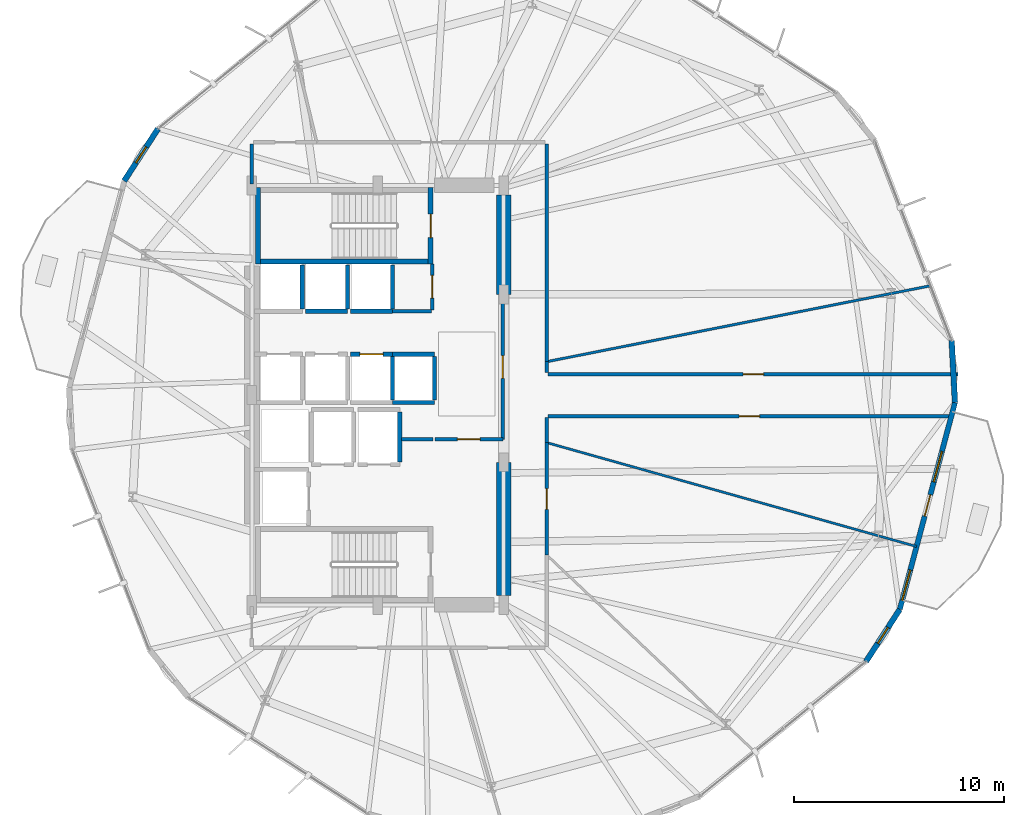
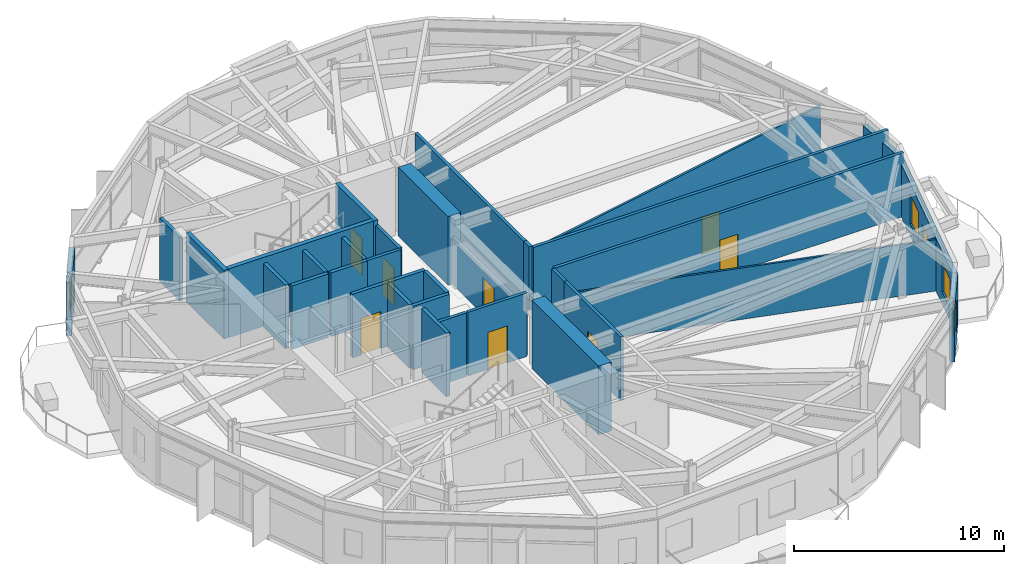
# One storey, part 19 of 23: 34 walls, 9 doors, 4 windows, 13 openings.
"""IFC4 building model written with IfcOpenShell, lengths in metres."""

from ifc_helpers import new_model, si_unit, direction, frame, frame_2d, origin, place, context, subcontext, project, spatial, rectangle, extrude, material, layer, layer_set, type_object, element, fill, save


model = new_model("IFC4")

# Units and contexts
model_context = context("Model", 3, precision=1e-05, world=origin(), true_north=direction((0.0, 1.0)))
body_context = subcontext(model_context, "Body", "Model", "MODEL_VIEW")
ifc_project = project(units=[si_unit("LENGTHUNIT", "METRE"), si_unit("AREAUNIT", "SQUARE_METRE"), si_unit("VOLUMEUNIT", "CUBIC_METRE"), si_unit("PLANEANGLEUNIT", "RADIAN"), si_unit("MASSUNIT", "GRAM", prefix="KILO")], contexts=[model_context])

# Site, building, storey
site_placement = place(None, origin())
site = spatial("IfcSite", under=ifc_project, at=site_placement, CompositionType="ELEMENT")
building_placement = place(site_placement, origin())
building = spatial("IfcBuilding", under=site, at=building_placement, Name="Soratama Intermodal Tower", CompositionType="ELEMENT")
storey_placement = place(building_placement, frame((0.0, 0.0, 38.60009765625)))
storey = spatial("IfcBuildingStorey", under=building, at=storey_placement, Name="L08", CompositionType="ELEMENT", Elevation=38.60009765625)

# Wall, openings, door, windows
ifc_material_1 = material(Name="Concrete f'c 42 MPa", Category="concrete")
ifc_layer_1 = layer(ifc_material_1, 0.25)
ifc_layer_set_1 = layer_set([ifc_layer_1], Name="Concrete f'c 42 MPa")
wall_type_1 = type_object("IfcWallType", Name="EW-BAL-250", PredefinedType="SOLIDWALL", material=ifc_layer_set_1)
wall_1_placement = place(storey_placement, frame((63.489990234375, 14.787353515625, 0.0), z_axis=(0.0, 0.0, 1.0), x_axis=(0.257827991611, 0.966190833501, 0.0)))
wall_1 = element("IfcWall", 1, at=wall_1_placement, inside=storey, type_object=wall_type_1, Name="L08 Terrace Wall F10", PredefinedType="SOLIDWALL", context=body_context, shape_type="SweptSolid", body=[
    extrude(rectangle(XDim=10.201171875, YDim=0.25, at=frame_2d((5.1005859375, 0.0))), origin(), (0.0, 0.0, 1.0), 3.078857421875),
])
opening_1_placement = place(wall_1_placement, frame((4.6005859375, 0.0, 0.0)))
opening_1 = element("IfcOpeningElement", 2, at=opening_1_placement, cuts=wall_1, Name="Opening ED-5", PredefinedType="OPENING", context=body_context, shape_type="SweptSolid", body=[
    extrude(rectangle(XDim=1.050048828125, YDim=2.14990234375, at=frame_2d((0.52490234375, 1.074951171875))), frame((0.0, 0.135009765625, 0.0), z_axis=(0.0, -1.0, 0.0), x_axis=(1.0, 0.0, 0.0)), (0.0, 0.0, 1.0), 0.27001953125),
])
opening_2_placement = place(wall_1_placement, frame((0.43994140625, 0.0, 0.719970703125)))
opening_2 = element("IfcOpeningElement", 3, at=opening_2_placement, cuts=wall_1, Name="Opening WN-1", PredefinedType="OPENING", context=body_context, shape_type="SweptSolid", body=[
    extrude(rectangle(XDim=1.5, YDim=1.699951171875, at=frame_2d((0.75, 0.85009765625))), frame((0.0, 0.135009765625, 0.0), z_axis=(0.0, -1.0, 0.0), x_axis=(1.0, 0.0, 0.0)), (0.0, 0.0, 1.0), 0.27001953125),
])
opening_3_placement = place(wall_1_placement, frame((6.29052734375, 0.0, 0.719970703125)))
opening_3 = element("IfcOpeningElement", 4, at=opening_3_placement, cuts=wall_1, Name="Opening WN-1", PredefinedType="OPENING", context=body_context, shape_type="SweptSolid", body=[
    extrude(rectangle(XDim=1.5, YDim=1.699951171875, at=frame_2d((0.75, 0.85009765625))), frame((0.0, 0.135009765625, 0.0), z_axis=(0.0, -1.0, 0.0), x_axis=(1.0, 0.0, 0.0)), (0.0, 0.0, 1.0), 0.27001953125),
])
ifc_material_2 = material(Name="Double-glazed aluminium door", Category="aluminium")
door_type_1 = type_object("IfcDoorType", Name="DR-BAL-1050", OperationType="NOTDEFINED", PredefinedType="DOOR", material=ifc_material_2)
door_1_placement = place(opening_1_placement, origin())
door_1 = element("IfcDoor", 5, at=door_1_placement, inside=storey, type_object=door_type_1, Name="L08 Balcony Door F10", OperationType="SINGLE_SWING_RIGHT", OverallHeight=2.14990234375, OverallWidth=1.050048828125, PredefinedType="DOOR", context=body_context, shape_type="SweptSolid", body=[
    extrude(rectangle(XDim=1.050048828125, YDim=2.14990234375, at=frame_2d((0.52490234375, 1.074951171875))), frame((0.0, 0.02490234375, 0.0), z_axis=(0.0, -1.0, 0.0), x_axis=(1.0, 0.0, 0.0)), (0.0, 0.0, 1.0), 0.050048828125),
])
fill(opening_1, door_1)
ifc_material_3 = material(Name="Double-glazed aluminium window", Category="aluminium")
window_type_1 = type_object("IfcWindowType", Name="WN-FAC-1500", PartitioningType="SINGLE_PANEL", PredefinedType="WINDOW", material=ifc_material_3)
window_1_placement = place(opening_2_placement, origin())
window_1 = element("IfcWindow", 6, at=window_1_placement, inside=storey, type_object=window_type_1, Name="L08 Window A F10", OverallHeight=1.699951171875, OverallWidth=1.5, PartitioningType="SINGLE_PANEL", PredefinedType="WINDOW", context=body_context, shape_type="SweptSolid", body=[
    extrude(rectangle(XDim=1.5, YDim=1.699951171875, at=frame_2d((0.75, 0.85009765625))), frame((0.0, 0.030029296875, 0.0), z_axis=(0.0, -1.0, 0.0), x_axis=(1.0, 0.0, 0.0)), (0.0, 0.0, 1.0), 0.06005859375),
])
fill(opening_2, window_1)
window_2_placement = place(opening_3_placement, origin())
window_2 = element("IfcWindow", 7, at=window_2_placement, inside=storey, type_object=window_type_1, Name="L08 Window B F10", OverallHeight=1.699951171875, OverallWidth=1.5, PartitioningType="SINGLE_PANEL", PredefinedType="WINDOW", context=body_context, shape_type="SweptSolid", body=[
    extrude(rectangle(XDim=1.5, YDim=1.699951171875, at=frame_2d((0.75, 0.85009765625))), frame((0.0, 0.030029296875, 0.0), z_axis=(0.0, -1.0, 0.0), x_axis=(1.0, 0.0, 0.0)), (0.0, 0.0, 1.0), 0.06005859375),
])
fill(opening_3, window_2)

# Wall, opening, window
ifc_material_4 = material(Name="Concrete f'c 42 MPa", Category="concrete")
ifc_layer_2 = layer(ifc_material_4, 0.27001953125)
ifc_layer_set_2 = layer_set([ifc_layer_2], Name="Concrete f'c 42 MPa")
wall_type_2 = type_object("IfcWallType", Name="EW-CRN-270", PredefinedType="SOLIDWALL", material=ifc_layer_set_2)
wall_2_placement = place(storey_placement, frame((28.123046875, 37.702392578125, 0.0), z_axis=(0.0, 0.0, 1.0), x_axis=(-0.543732321815, -0.839258698027, 0.0)))
wall_2 = element("IfcWall", 8, at=wall_2_placement, inside=storey, type_object=wall_type_2, Name="L08 Corner Closure Wall 04", PredefinedType="SOLIDWALL", context=body_context, shape_type="SweptSolid", body=[
    extrude(rectangle(XDim=2.966552734375, YDim=0.27001953125, at=frame_2d((1.4833984375, 0.0))), origin(), (0.0, 0.0, 1.0), 3.078857421875),
])
opening_4_placement = place(wall_2_placement, frame((1.033203125, 0.0, 0.75)))
opening_4 = element("IfcOpeningElement", 9, at=opening_4_placement, cuts=wall_2, Name="Opening WN-6", PredefinedType="OPENING", context=body_context, shape_type="SweptSolid", body=[
    extrude(rectangle(XDim=0.89990234375, YDim=1.5, at=frame_2d((0.449951171875, 0.75))), frame((0.0, 0.14501953125, 0.0), z_axis=(0.0, -1.0, 0.0), x_axis=(1.0, 0.0, 0.0)), (0.0, 0.0, 1.0), 0.2900390625),
])
ifc_material_5 = material(Name="Double-glazed aluminium window", Category="aluminium")
window_type_2 = type_object("IfcWindowType", Name="WN-FAC-900", PartitioningType="SINGLE_PANEL", PredefinedType="WINDOW", material=ifc_material_5)
window_3_placement = place(opening_4_placement, origin())
window_3 = element("IfcWindow", 10, at=window_3_placement, inside=storey, type_object=window_type_2, Name="L08 Corner Window 04", OverallHeight=1.5, OverallWidth=0.89990234375, PartitioningType="SINGLE_PANEL", PredefinedType="WINDOW", context=body_context, shape_type="SweptSolid", body=[
    extrude(rectangle(XDim=0.89990234375, YDim=1.5, at=frame_2d((0.449951171875, 0.75))), frame((0.0, 0.030029296875, 0.0), z_axis=(0.0, -1.0, 0.0), x_axis=(1.0, 0.0, 0.0)), (0.0, 0.0, 1.0), 0.06005859375),
])
fill(opening_4, window_3)

wall_3_placement = place(storey_placement, frame((61.876953125, 12.297607421875, 0.0), z_axis=(0.0, 0.0, 1.0), x_axis=(0.543732321815, 0.839258698027, 0.0)))
wall_3 = element("IfcWall", 11, at=wall_3_placement, inside=storey, type_object=wall_type_2, Name="L08 Corner Closure Wall 09", PredefinedType="SOLIDWALL", context=body_context, shape_type="SweptSolid", body=[
    extrude(rectangle(XDim=2.966552734375, YDim=0.27001953125, at=frame_2d((1.4833984375, 0.0))), origin(), (0.0, 0.0, 1.0), 3.078857421875),
])
opening_5_placement = place(wall_3_placement, frame((1.033203125, 0.0, 0.75)))
opening_5 = element("IfcOpeningElement", 12, at=opening_5_placement, cuts=wall_3, Name="Opening WN-6", PredefinedType="OPENING", context=body_context, shape_type="SweptSolid", body=[
    extrude(rectangle(XDim=0.89990234375, YDim=1.5, at=frame_2d((0.449951171875, 0.75))), frame((0.0, 0.14501953125, 0.0), z_axis=(0.0, -1.0, 0.0), x_axis=(1.0, 0.0, 0.0)), (0.0, 0.0, 1.0), 0.2900390625),
])
window_4_placement = place(opening_5_placement, origin())
window_4 = element("IfcWindow", 13, at=window_4_placement, inside=storey, type_object=window_type_2, Name="L08 Corner Window 09", OverallHeight=1.5, OverallWidth=0.89990234375, PartitioningType="SINGLE_PANEL", PredefinedType="WINDOW", context=body_context, shape_type="SweptSolid", body=[
    extrude(rectangle(XDim=0.89990234375, YDim=1.5, at=frame_2d((0.449951171875, 0.75))), frame((0.0, 0.030029296875, 0.0), z_axis=(0.0, -1.0, 0.0), x_axis=(1.0, 0.0, 0.0)), (0.0, 0.0, 1.0), 0.06005859375),
])
fill(opening_5, window_4)

# Wall
wall_4_placement = place(storey_placement, frame((66.1201171875, 24.6435546875, 0.0), z_axis=(0.0, 0.0, 1.0), x_axis=(-0.053409730545, 0.998572681723, 0.0)))
element("IfcWall", 14, at=wall_4_placement, inside=storey, type_object=wall_type_2, Name="L08 Corner Closure Wall 10", PredefinedType="SOLIDWALL", context=body_context, shape_type="SweptSolid", body=[
    extrude(rectangle(XDim=2.966552734375, YDim=0.27001953125, at=frame_2d((1.4833984375, 0.0))), origin(), (0.0, 0.0, 1.0), 3.078857421875),
])

# Wall, opening, door
ifc_material_6 = material(Name="Fire-rated gypsum stud partition", Category="concrete")
ifc_layer_3 = layer(ifc_material_6, 0.169921875)
ifc_layer_set_3 = layer_set([ifc_layer_3], Name="Fire-rated gypsum stud partition")
wall_type_3 = type_object("IfcWallType", Name="IW-PART-R170", PredefinedType="PARTITIONING", material=ifc_layer_set_3)
wall_5_placement = place(storey_placement, frame((46.719970703125, 26.0, 0.0), z_axis=(0.0, 0.0, 1.0), x_axis=(1.0, 0.0, 0.0)))
wall_5 = element("IfcWall", 15, at=wall_5_placement, inside=storey, type_object=wall_type_3, Name="L08 Partition W-L08-TP001", PredefinedType="PARTITIONING", context=body_context, shape_type="SweptSolid", body=[
    extrude(rectangle(XDim=19.541015625, YDim=0.169921875, at=frame_2d((9.7705078125, 0.0))), origin(), (0.0, 0.0, 1.0), 3.699951171875),
])
opening_6_placement = place(wall_5_placement, frame((9.294921875, 0.0, 0.0)))
opening_6 = element("IfcOpeningElement", 16, at=opening_6_placement, cuts=wall_5, Name="Opening ID-5", PredefinedType="OPENING", context=body_context, shape_type="SweptSolid", body=[
    extrude(rectangle(XDim=0.97998046875, YDim=2.14990234375, at=frame_2d((0.489990234375, 1.074951171875))), frame((0.0, 0.094970703125, 0.0), z_axis=(0.0, -1.0, 0.0), x_axis=(1.0, 0.0, 0.0)), (0.0, 0.0, 1.0), 0.18994140625),
])
ifc_material_7 = material(Name="Solid hardwood acoustic door", Category="wood")
door_type_2 = type_object("IfcDoorType", Name="DR-OFF-980", OperationType="NOTDEFINED", PredefinedType="DOOR", material=ifc_material_7)
door_2_placement = place(opening_6_placement, origin())
door_2 = element("IfcDoor", 17, at=door_2_placement, inside=storey, type_object=door_type_2, Name="L08 Door D-L08-TP001", OperationType="SINGLE_SWING_RIGHT", OverallHeight=2.14990234375, OverallWidth=0.97998046875, PredefinedType="DOOR", context=body_context, shape_type="SweptSolid", body=[
    extrude(rectangle(XDim=0.97998046875, YDim=2.14990234375, at=frame_2d((0.489990234375, 1.074951171875))), frame((0.0, 0.02490234375, 0.0), z_axis=(0.0, -1.0, 0.0), x_axis=(1.0, 0.0, 0.0)), (0.0, 0.0, 1.0), 0.050048828125),
])
fill(opening_6, door_2)

wall_6_placement = place(storey_placement, frame((65.947998046875, 24.0, 0.0), z_axis=(0.0, 0.0, 1.0), x_axis=(-1.0, 0.0, 0.0)))
wall_6 = element("IfcWall", 18, at=wall_6_placement, inside=storey, type_object=wall_type_3, Name="L08 Partition W-L08-TP002", PredefinedType="PARTITIONING", context=body_context, shape_type="SweptSolid", body=[
    extrude(rectangle(XDim=19.22802734375, YDim=0.169921875, at=frame_2d((9.614013671875, 0.0))), origin(), (0.0, 0.0, 1.0), 3.699951171875),
])
opening_7_placement = place(wall_6_placement, frame((9.138916015625, 0.0, 0.0)))
opening_7 = element("IfcOpeningElement", 19, at=opening_7_placement, cuts=wall_6, Name="Opening ID-5", PredefinedType="OPENING", context=body_context, shape_type="SweptSolid", body=[
    extrude(rectangle(XDim=0.97998046875, YDim=2.14990234375, at=frame_2d((0.489990234375, 1.074951171875))), frame((0.0, 0.094970703125, 0.0), z_axis=(0.0, -1.0, 0.0), x_axis=(1.0, 0.0, 0.0)), (0.0, 0.0, 1.0), 0.18994140625),
])
door_3_placement = place(opening_7_placement, origin())
door_3 = element("IfcDoor", 20, at=door_3_placement, inside=storey, type_object=door_type_2, Name="L08 Door D-L08-TP002", OperationType="SINGLE_SWING_LEFT", OverallHeight=2.14990234375, OverallWidth=0.97998046875, PredefinedType="DOOR", context=body_context, shape_type="SweptSolid", body=[
    extrude(rectangle(XDim=0.97998046875, YDim=2.14990234375, at=frame_2d((0.489990234375, 1.074951171875))), frame((0.0, 0.02490234375, 0.0), z_axis=(0.0, -1.0, 0.0), x_axis=(1.0, 0.0, 0.0)), (0.0, 0.0, 1.0), 0.050048828125),
])
fill(opening_7, door_3)

# Wall
wall_7_placement = place(storey_placement, frame((46.64990234375, 36.97998046875, 0.0), z_axis=(0.0, 0.0, 1.0), x_axis=(0.0, -1.0, 0.0)))
element("IfcWall", 21, at=wall_7_placement, inside=storey, type_object=wall_type_3, Name="L08 Partition W-L08-TP007", PredefinedType="PARTITIONING", context=body_context, shape_type="SweptSolid", body=[
    extrude(rectangle(XDim=10.386962890625, YDim=0.169921875, at=frame_2d((5.193359375, 0.0))), origin(), (0.0, 0.0, 1.0), 3.699951171875),
])

# Wall, opening, door
wall_8_placement = place(storey_placement, frame((44.56005859375, 29.800048828125, 0.0), z_axis=(0.0, 0.0, 1.0), x_axis=(0.0, -1.0, 0.0)))
wall_8 = element("IfcWall", 22, at=wall_8_placement, inside=storey, type_object=wall_type_3, Name="L08 Partition W-L08-TP011", PredefinedType="PARTITIONING", context=body_context, shape_type="SweptSolid", body=[
    extrude(rectangle(XDim=6.91015625, YDim=0.169921875, at=frame_2d((3.455078125, 0.0))), origin(), (0.0, 0.0, 1.0), 2.739990234375),
])
opening_8_placement = place(wall_8_placement, frame((2.9150390625, 0.0, 0.0)))
opening_8 = element("IfcOpeningElement", 23, at=opening_8_placement, cuts=wall_8, Name="Opening ID-1", PredefinedType="OPENING", context=body_context, shape_type="SweptSolid", body=[
    extrude(rectangle(XDim=1.080078125, YDim=2.14990234375, at=frame_2d((0.5400390625, 1.074951171875))), frame((0.0, 0.094970703125, 0.0), z_axis=(0.0, -1.0, 0.0), x_axis=(1.0, 0.0, 0.0)), (0.0, 0.0, 1.0), 0.18994140625),
])
ifc_material_8 = material(Name="Solid hardwood acoustic door", Category="wood")
door_type_3 = type_object("IfcDoorType", Name="DR-LOB-FD60", OperationType="NOTDEFINED", PredefinedType="DOOR", material=ifc_material_8)
door_4_placement = place(opening_8_placement, origin())
door_4 = element("IfcDoor", 24, at=door_4_placement, inside=storey, type_object=door_type_3, Name="L08 Door D-L08-TP005", OperationType="SINGLE_SWING_RIGHT", OverallHeight=2.14990234375, OverallWidth=1.080078125, PredefinedType="DOOR", context=body_context, shape_type="SweptSolid", body=[
    extrude(rectangle(XDim=1.080078125, YDim=2.14990234375, at=frame_2d((0.5400390625, 1.074951171875))), frame((0.0, 0.02490234375, 0.0), z_axis=(0.0, -1.0, 0.0), x_axis=(1.0, 0.0, 0.0)), (0.0, 0.0, 1.0), 0.050048828125),
])
fill(opening_8, door_4)

wall_9_placement = place(storey_placement, frame((46.64990234375, 22.738037109375, 0.0), z_axis=(0.0, 0.0, 1.0), x_axis=(0.0, -1.0, 0.0)))
wall_9 = element("IfcWall", 25, at=wall_9_placement, inside=storey, type_object=wall_type_3, Name="L08 Partition W-L08-TP013", PredefinedType="PARTITIONING", context=body_context, shape_type="SweptSolid", body=[
    extrude(rectangle(XDim=5.35302734375, YDim=0.169921875, at=frame_2d((2.676513671875, 0.0))), origin(), (0.0, 0.0, 1.0), 3.699951171875),
])
opening_9_placement = place(wall_9_placement, frame((2.200927734375, 0.0, 0.0)))
opening_9 = element("IfcOpeningElement", 26, at=opening_9_placement, cuts=wall_9, Name="Opening ID-5", PredefinedType="OPENING", context=body_context, shape_type="SweptSolid", body=[
    extrude(rectangle(XDim=0.97998046875, YDim=2.14990234375, at=frame_2d((0.489990234375, 1.074951171875))), frame((0.0, 0.094970703125, 0.0), z_axis=(0.0, -1.0, 0.0), x_axis=(1.0, 0.0, 0.0)), (0.0, 0.0, 1.0), 0.18994140625),
])
door_5_placement = place(opening_9_placement, origin())
door_5 = element("IfcDoor", 27, at=door_5_placement, inside=storey, type_object=door_type_2, Name="L08 Door D-L08-TP006", OperationType="SINGLE_SWING_LEFT", OverallHeight=2.14990234375, OverallWidth=0.97998046875, PredefinedType="DOOR", context=body_context, shape_type="SweptSolid", body=[
    extrude(rectangle(XDim=0.97998046875, YDim=2.14990234375, at=frame_2d((0.489990234375, 1.074951171875))), frame((0.0, 0.02490234375, 0.0), z_axis=(0.0, -1.0, 0.0), x_axis=(1.0, 0.0, 0.0)), (0.0, 0.0, 1.0), 0.050048828125),
])
fill(opening_9, door_5)

wall_10_placement = place(storey_placement, frame((41.320068359375, 22.889892578125, 0.0), z_axis=(0.0, 0.0, 1.0), x_axis=(1.0, 0.0, 0.0)))
wall_10 = element("IfcWall", 28, at=wall_10_placement, inside=storey, type_object=wall_type_3, Name="L08 Partition W-L08-TP017", PredefinedType="PARTITIONING", context=body_context, shape_type="SweptSolid", body=[
    extrude(rectangle(XDim=3.239990234375, YDim=0.169921875, at=frame_2d((1.6201171875, 0.0))), origin(), (0.0, 0.0, 1.0), 3.699951171875),
])
opening_10_placement = place(wall_10_placement, frame((1.080078125, 0.0, 0.0)))
opening_10 = element("IfcOpeningElement", 29, at=opening_10_placement, cuts=wall_10, Name="Opening ID-0", PredefinedType="OPENING", context=body_context, shape_type="SweptSolid", body=[
    extrude(rectangle(XDim=1.080078125, YDim=2.14990234375, at=frame_2d((0.5400390625, 1.074951171875))), frame((0.0, 0.094970703125, 0.0), z_axis=(0.0, -1.0, 0.0), x_axis=(1.0, 0.0, 0.0)), (0.0, 0.0, 1.0), 0.18994140625),
])
ifc_material_9 = material(Name="Solid hardwood acoustic door", Category="wood")
door_type_4 = type_object("IfcDoorType", Name="DR-LOB-FD90", OperationType="NOTDEFINED", PredefinedType="DOOR", material=ifc_material_9)
door_6_placement = place(opening_10_placement, origin())
door_6 = element("IfcDoor", 30, at=door_6_placement, inside=storey, type_object=door_type_4, Name="L08 Door D-L08-TP008", OperationType="SINGLE_SWING_LEFT", OverallHeight=2.14990234375, OverallWidth=1.080078125, PredefinedType="DOOR", context=body_context, shape_type="SweptSolid", body=[
    extrude(rectangle(XDim=1.080078125, YDim=2.14990234375, at=frame_2d((0.5400390625, 1.074951171875))), frame((0.0, 0.02490234375, 0.0), z_axis=(0.0, -1.0, 0.0), x_axis=(1.0, 0.0, 0.0)), (0.0, 0.0, 1.0), 0.050048828125),
])
fill(opening_10, door_6)

wall_11_placement = place(storey_placement, frame((41.199951171875, 29.070068359375, 0.0), z_axis=(0.0, 0.0, 1.0), x_axis=(0.0, 1.0, 0.0)))
wall_11 = element("IfcWall", 31, at=wall_11_placement, inside=storey, type_object=wall_type_3, Name="L08 Partition W-L08-TP019", PredefinedType="PARTITIONING", context=body_context, shape_type="SweptSolid", body=[
    extrude(rectangle(XDim=2.18994140625, YDim=0.169921875, at=frame_2d((1.094970703125, 0.0))), origin(), (0.0, 0.0, 1.0), 3.699951171875),
])
opening_11_placement = place(wall_11_placement, frame((0.554931640625, 0.0, 0.0)))
opening_11 = element("IfcOpeningElement", 32, at=opening_11_placement, cuts=wall_11, Name="Opening ID-1", PredefinedType="OPENING", context=body_context, shape_type="SweptSolid", body=[
    extrude(rectangle(XDim=1.080078125, YDim=2.14990234375, at=frame_2d((0.5400390625, 1.074951171875))), frame((0.0, 0.094970703125, 0.0), z_axis=(0.0, -1.0, 0.0), x_axis=(1.0, 0.0, 0.0)), (0.0, 0.0, 1.0), 0.18994140625),
])
door_7_placement = place(opening_11_placement, origin())
door_7 = element("IfcDoor", 33, at=door_7_placement, inside=storey, type_object=door_type_3, Name="L08 Door D-L08-TP010", OperationType="SINGLE_SWING_LEFT", OverallHeight=2.14990234375, OverallWidth=1.080078125, PredefinedType="DOOR", context=body_context, shape_type="SweptSolid", body=[
    extrude(rectangle(XDim=1.080078125, YDim=2.14990234375, at=frame_2d((0.5400390625, 1.074951171875))), frame((0.0, 0.02490234375, 0.0), z_axis=(0.0, -1.0, 0.0), x_axis=(1.0, 0.0, 0.0)), (0.0, 0.0, 1.0), 0.050048828125),
])
fill(opening_11, door_7)

# Walls
wall_12_placement = place(storey_placement, frame((32.60009765625, 35.070068359375, 0.0), z_axis=(0.0, 0.0, 1.0), x_axis=(0.0, 1.0, 0.0)))
element("IfcWall", 34, at=wall_12_placement, inside=storey, type_object=wall_type_3, Name="L08 Partition W-L08-TP021", PredefinedType="PARTITIONING", context=body_context, shape_type="SweptSolid", body=[
    extrude(rectangle(XDim=1.909912109375, YDim=0.169921875, at=frame_2d((0.955078125, 0.0))), origin(), (0.0, 0.0, 1.0), 3.699951171875),
])
wall_13_placement = place(storey_placement, frame((39.300048828125, 29.010009765625, 0.0), z_axis=(0.0, 0.0, 1.0), x_axis=(1.0, 0.0, 0.0)))
element("IfcWall", 35, at=wall_13_placement, inside=storey, type_object=wall_type_3, Name="L08 Partition W-L08-TP022", PredefinedType="PARTITIONING", context=body_context, shape_type="SweptSolid", body=[
    extrude(rectangle(XDim=1.85986328125, YDim=0.169921875, at=frame_2d((0.929931640625, 0.0))), origin(), (0.0, 0.0, 1.0), 3.699951171875),
])
wall_14_placement = place(storey_placement, frame((39.719970703125, 22.889892578125, 0.0), z_axis=(0.0, 0.0, 1.0), x_axis=(1.0, 0.0, 0.0)))
element("IfcWall", 36, at=wall_14_placement, inside=storey, type_object=wall_type_3, Name="L08 Partition W-L08-TP023", PredefinedType="PARTITIONING", context=body_context, shape_type="SweptSolid", body=[
    extrude(rectangle(XDim=1.52001953125, YDim=0.169921875, at=frame_2d((0.760009765625, 0.0))), origin(), (0.0, 0.0, 1.0), 3.699951171875),
])
wall_15_placement = place(storey_placement, frame((46.64990234375, 23.929931640625, 0.0), z_axis=(0.0, 0.0, 1.0), x_axis=(0.0, -1.0, 0.0)))
element("IfcWall", 37, at=wall_15_placement, inside=storey, type_object=wall_type_3, Name="L08 Partition W-L08-TP025", PredefinedType="PARTITIONING", context=body_context, shape_type="SweptSolid", body=[
    extrude(rectangle(XDim=1.19189453125, YDim=0.169921875, at=frame_2d((0.595947265625, 0.0))), origin(), (0.0, 0.0, 1.0), 3.699951171875),
])
wall_16_placement = place(storey_placement, frame((46.64990234375, 26.593017578125, 0.0), z_axis=(0.0, 0.0, 1.0), x_axis=(0.0, -1.0, 0.0)))
element("IfcWall", 38, at=wall_16_placement, inside=storey, type_object=wall_type_3, Name="L08 Partition W-L08-TP026", PredefinedType="PARTITIONING", context=body_context, shape_type="SweptSolid", body=[
    extrude(rectangle(XDim=0.52294921875, YDim=0.169921875, at=frame_2d((0.261474609375, 0.0))), origin(), (0.0, 0.0, 1.0), 3.699951171875),
])
ifc_material_10 = material(Name="Fire-rated gypsum stud partition", Category="concrete")
ifc_layer_4 = layer(ifc_material_10, 0.110107421875)
ifc_layer_set_4 = layer_set([ifc_layer_4], Name="Fire-rated gypsum stud partition")
wall_type_4 = type_object("IfcWallType", Name="IW-PART-S110", PredefinedType="PARTITIONING", material=ifc_layer_set_4)
wall_17_placement = place(storey_placement, frame((46.64990234375, 22.738037109375, 0.0), z_axis=(0.0, 0.0, 1.0), x_axis=(0.962721450878, -0.270494746752, 0.0)))
element("IfcWall", 39, at=wall_17_placement, inside=storey, type_object=wall_type_4, Name="L08 Partition W-L08-TP004", PredefinedType="PARTITIONING", context=body_context, shape_type="SweptSolid", body=[
    extrude(rectangle(XDim=18.322265625, YDim=0.110107421875, at=frame_2d((9.1611328125, 0.0))), origin(), (0.0, 0.0, 1.0), 2.994873046875),
])
ifc_material_11 = material(Name="Fire-rated gypsum stud partition", Category="concrete")
ifc_layer_5 = layer(ifc_material_11, 0.1201171875)
ifc_layer_set_5 = layer_set([ifc_layer_5], Name="Fire-rated gypsum stud partition")
wall_type_5 = type_object("IfcWallType", Name="IW-PART-S120", PredefinedType="PARTITIONING", material=ifc_layer_set_5)
wall_18_placement = place(storey_placement, frame((46.64990234375, 26.593017578125, 0.0), z_axis=(0.0, 0.0, 1.0), x_axis=(0.980974163768, 0.194138327025, 0.0)))
element("IfcWall", 40, at=wall_18_placement, inside=storey, type_object=wall_type_5, Name="L08 Partition W-L08-TP003", PredefinedType="PARTITIONING", context=body_context, shape_type="SweptSolid", body=[
    extrude(rectangle(XDim=18.662109375, YDim=0.1201171875, at=frame_2d((9.3310546875, 0.0))), origin(), (0.0, 0.0, 1.0), 2.994873046875),
])
ifc_material_12 = material(Name="Concrete f'c 42 MPa", Category="concrete")
ifc_layer_6 = layer(ifc_material_12, 0.199951171875)
ifc_layer_set_6 = layer_set([ifc_layer_6], Name="Concrete f'c 42 MPa")
wall_type_6 = type_object("IfcWallType", Name="IW-SHAFT-200", PredefinedType="SOLIDWALL", material=ifc_layer_set_6)
wall_19_placement = place(storey_placement, frame((39.64990234375, 21.81005859375, 0.0), z_axis=(0.0, 0.0, 1.0), x_axis=(0.0, 1.0, 0.0)))
element("IfcWall", 41, at=wall_19_placement, inside=storey, type_object=wall_type_6, Name="L08 FFL-2 Hoistway Wall E", PredefinedType="SOLIDWALL", context=body_context, shape_type="SweptSolid", body=[
    extrude(rectangle(XDim=2.3798828125, YDim=0.199951171875, at=frame_2d((1.18994140625, 0.0))), origin(), (0.0, 0.0, 1.0), 3.699951171875),
])

# Wall, opening, door
wall_20_placement = place(storey_placement, frame((37.300048828125, 26.949951171875, 0.0), z_axis=(0.0, 0.0, 1.0), x_axis=(1.0, 0.0, 0.0)))
wall_20 = element("IfcWall", 42, at=wall_20_placement, inside=storey, type_object=wall_type_6, Name="L08 PL-L3 Hoistway Wall N", PredefinedType="SOLIDWALL", context=body_context, shape_type="SweptSolid", body=[
    extrude(rectangle(XDim=2.0, YDim=0.199951171875, at=frame_2d((1.0, 0.0))), origin(), (0.0, 0.0, 1.0), 3.699951171875),
])
opening_12_placement = place(wall_20_placement, frame((0.449951171875, 0.0, 0.0)))
opening_12 = element("IfcOpeningElement", 43, at=opening_12_placement, cuts=wall_20, Name="Opening LD-1", PredefinedType="OPENING", context=body_context, shape_type="SweptSolid", body=[
    extrude(rectangle(XDim=1.10009765625, YDim=2.14990234375, at=frame_2d((0.550048828125, 1.074951171875))), frame((0.0, 0.10986328125, 0.0), z_axis=(0.0, -1.0, 0.0), x_axis=(1.0, 0.0, 0.0)), (0.0, 0.0, 1.0), 0.219970703125),
])
ifc_material_13 = material(Name="Steel fire door", Category="steel")
door_type_5 = type_object("IfcDoorType", Name="DR-LIFT-SLIDE", OperationType="NOTDEFINED", PredefinedType="DOOR", material=ifc_material_13)
door_8_placement = place(opening_12_placement, origin())
door_8 = element("IfcDoor", 44, at=door_8_placement, inside=storey, type_object=door_type_5, Name="L08 PL-L3 Sliding Landing Door", OperationType="SLIDING_TO_LEFT", OverallHeight=2.14990234375, OverallWidth=1.10009765625, PredefinedType="DOOR", context=body_context, shape_type="SweptSolid", body=[
    extrude(rectangle(XDim=1.10009765625, YDim=2.14990234375, at=frame_2d((0.550048828125, 1.074951171875))), frame((0.0, 0.02490234375, 0.0), z_axis=(0.0, -1.0, 0.0), x_axis=(1.0, 0.0, 0.0)), (0.0, 0.0, 1.0), 0.050048828125),
])
fill(opening_12, door_8)

# Walls
wall_21_placement = place(storey_placement, frame((39.300048828125, 24.760009765625, 0.0), z_axis=(0.0, 0.0, 1.0), x_axis=(0.0, 1.0, 0.0)))
element("IfcWall", 45, at=wall_21_placement, inside=storey, type_object=wall_type_6, Name="L08 PL-L3 Hoistway Wall E", PredefinedType="SOLIDWALL", context=body_context, shape_type="SweptSolid", body=[
    extrude(rectangle(XDim=2.080078125, YDim=0.199951171875, at=frame_2d((1.0400390625, 0.0))), origin(), (0.0, 0.0, 1.0), 3.699951171875),
])
for number, where, z_axis, x_axis, name in (
    (46, (39.300048828125, 24.64990234375, 0.0), (0.0, 0.0, 1.0), (1.0, 0.0, 0.0), "L08 PL-M1 Hoistway Wall S"),
    (47, (39.300048828125, 26.949951171875, 0.0), (0.0, 0.0, 1.0), (1.0, 0.0, 0.0), "L08 PL-M1 Hoistway Wall N"),
):
    element("IfcWall", number, at=place(storey_placement, frame(where, z_axis=z_axis, x_axis=x_axis)), inside=storey, type_object=wall_type_6, Name=name, PredefinedType="SOLIDWALL", context=body_context, shape_type="SweptSolid", body=[
        extrude(rectangle(XDim=2.0, YDim=0.199951171875, at=frame_2d((1.0, 0.0))), origin(), (0.0, 0.0, 1.0), 3.699951171875),
    ])
wall_22_placement = place(storey_placement, frame((41.300048828125, 24.760009765625, 0.0), z_axis=(0.0, 0.0, 1.0), x_axis=(0.0, 1.0, 0.0)))
element("IfcWall", 48, at=wall_22_placement, inside=storey, type_object=wall_type_6, Name="L08 PL-M1 Hoistway Wall E", PredefinedType="SOLIDWALL", context=body_context, shape_type="SweptSolid", body=[
    extrude(rectangle(XDim=2.080078125, YDim=0.199951171875, at=frame_2d((1.0400390625, 0.0))), origin(), (0.0, 0.0, 1.0), 3.699951171875),
])
wall_23_placement = place(storey_placement, frame((35.0, 29.110107421875, 0.0), z_axis=(0.0, 0.0, 1.0), x_axis=(0.0, 1.0, 0.0)))
element("IfcWall", 49, at=wall_23_placement, inside=storey, type_object=wall_type_6, Name="L08 PL-M2 Hoistway Wall E", PredefinedType="SOLIDWALL", context=body_context, shape_type="SweptSolid", body=[
    extrude(rectangle(XDim=2.099853515625, YDim=0.199951171875, at=frame_2d((1.0498046875, 0.0))), origin(), (0.0, 0.0, 1.0), 3.699951171875),
])
wall_24_placement = place(storey_placement, frame((35.14990234375, 29.0, 0.0), z_axis=(0.0, 0.0, 1.0), x_axis=(1.0, 0.0, 0.0)))
element("IfcWall", 50, at=wall_24_placement, inside=storey, type_object=wall_type_6, Name="L08 PL-H1 Hoistway Wall S", PredefinedType="SOLIDWALL", context=body_context, shape_type="SweptSolid", body=[
    extrude(rectangle(XDim=2.0, YDim=0.199951171875, at=frame_2d((1.0, 0.0))), origin(), (0.0, 0.0, 1.0), 3.699951171875),
])
wall_25_placement = place(storey_placement, frame((37.14990234375, 29.110107421875, 0.0), z_axis=(0.0, 0.0, 1.0), x_axis=(0.0, 1.0, 0.0)))
element("IfcWall", 51, at=wall_25_placement, inside=storey, type_object=wall_type_6, Name="L08 PL-H1 Hoistway Wall E", PredefinedType="SOLIDWALL", context=body_context, shape_type="SweptSolid", body=[
    extrude(rectangle(XDim=2.099853515625, YDim=0.199951171875, at=frame_2d((1.0498046875, 0.0))), origin(), (0.0, 0.0, 1.0), 3.699951171875),
])
wall_26_placement = place(storey_placement, frame((37.300048828125, 29.0, 0.0), z_axis=(0.0, 0.0, 1.0), x_axis=(1.0, 0.0, 0.0)))
element("IfcWall", 52, at=wall_26_placement, inside=storey, type_object=wall_type_6, Name="L08 PL-H2 Hoistway Wall S", PredefinedType="SOLIDWALL", context=body_context, shape_type="SweptSolid", body=[
    extrude(rectangle(XDim=2.0, YDim=0.199951171875, at=frame_2d((1.0, 0.0))), origin(), (0.0, 0.0, 1.0), 3.699951171875),
])
wall_27_placement = place(storey_placement, frame((39.300048828125, 29.110107421875, 0.0), z_axis=(0.0, 0.0, 1.0), x_axis=(0.0, 1.0, 0.0)))
element("IfcWall", 53, at=wall_27_placement, inside=storey, type_object=wall_type_6, Name="L08 PL-H2 Hoistway Wall E", PredefinedType="SOLIDWALL", context=body_context, shape_type="SweptSolid", body=[
    extrude(rectangle(XDim=2.099853515625, YDim=0.199951171875, at=frame_2d((1.0498046875, 0.0))), origin(), (0.0, 0.0, 1.0), 3.699951171875),
])
ifc_material_14 = material(Name="Concrete f'c 56 MPa", Category="concrete")
ifc_layer_7 = layer(ifc_material_14, 0.699951171875)
ifc_layer_set_7 = layer_set([ifc_layer_7], Name="Concrete f'c 56 MPa")
wall_type_7 = type_object("IfcWallType", Name="SW-CORE-700", PredefinedType="SHEAR", material=ifc_layer_set_7)
wall_28_placement = place(storey_placement, frame((44.60009765625, 15.449951171875, 0.0), z_axis=(0.0, 0.0, 1.0), x_axis=(0.0, 1.0, 0.0)))
element("IfcWall", 54, at=wall_28_placement, inside=storey, type_object=wall_type_7, Name="L08 Core Shear Wall CW-ES", PredefinedType="SHEAR", context=body_context, shape_type="SweptSolid", body=[
    extrude(rectangle(XDim=6.35009765625, YDim=0.699951171875, at=frame_2d((3.175048828125, 0.0))), origin(), (0.0, 0.0, 1.0), 4.0),
])
wall_29_placement = place(storey_placement, frame((44.60009765625, 29.800048828125, 0.0), z_axis=(0.0, 0.0, 1.0), x_axis=(0.0, 1.0, 0.0)))
element("IfcWall", 55, at=wall_29_placement, inside=storey, type_object=wall_type_7, Name="L08 Core Shear Wall CW-EN", PredefinedType="SHEAR", context=body_context, shape_type="SweptSolid", body=[
    extrude(rectangle(XDim=4.75, YDim=0.699951171875, at=frame_2d((2.375, 0.0))), origin(), (0.0, 0.0, 1.0), 4.0),
])
ifc_material_15 = material(Name="Concrete f'c 56 MPa", Category="concrete")
ifc_layer_8 = layer(ifc_material_15, 0.239990234375)
ifc_layer_set_8 = layer_set([ifc_layer_8], Name="Concrete f'c 56 MPa")
wall_type_8 = type_object("IfcWallType", Name="SW-STAIR-240", PredefinedType="SHEAR", material=ifc_layer_set_8)
wall_30_placement = place(storey_placement, frame((32.8798828125, 31.260009765625, 0.0), z_axis=(0.0, 0.0, 1.0), x_axis=(0.0, 1.0, 0.0)))
element("IfcWall", 56, at=wall_30_placement, inside=storey, type_object=wall_type_8, Name="L08 ST-2 Shaft Shear Wall W", PredefinedType="SHEAR", context=body_context, shape_type="SweptSolid", body=[
    extrude(rectangle(XDim=3.6298828125, YDim=0.239990234375, at=frame_2d((1.81494140625, 0.0))), origin(), (0.0, 0.0, 1.0), 4.0),
])

# Wall, opening, door
wall_31_placement = place(storey_placement, frame((41.1201171875, 31.260009765625, 0.0), z_axis=(0.0, 0.0, 1.0), x_axis=(0.0, 1.0, 0.0)))
wall_31 = element("IfcWall", 57, at=wall_31_placement, inside=storey, type_object=wall_type_8, Name="L08 ST-2 Shaft Shear Wall E", PredefinedType="SHEAR", context=body_context, shape_type="SweptSolid", body=[
    extrude(rectangle(XDim=3.6298828125, YDim=0.239990234375, at=frame_2d((1.81494140625, 0.0))), origin(), (0.0, 0.0, 1.0), 4.0),
])
opening_13_placement = place(wall_31_placement, frame((1.2548828125, 0.0, 0.0)))
opening_13 = element("IfcOpeningElement", 58, at=opening_13_placement, cuts=wall_31, Name="Opening SD-1", PredefinedType="OPENING", context=body_context, shape_type="SweptSolid", body=[
    extrude(rectangle(XDim=1.1201171875, YDim=2.14990234375, at=frame_2d((0.56005859375, 1.074951171875))), frame((0.0, 0.1298828125, 0.0), z_axis=(0.0, -1.0, 0.0), x_axis=(1.0, 0.0, 0.0)), (0.0, 0.0, 1.0), 0.260009765625),
])
ifc_material_16 = material(Name="Steel fire door", Category="steel")
door_type_6 = type_object("IfcDoorType", Name="DR-STAIR-FD90", OperationType="NOTDEFINED", PredefinedType="DOOR", material=ifc_material_16)
door_9_placement = place(opening_13_placement, origin())
door_9 = element("IfcDoor", 59, at=door_9_placement, inside=storey, type_object=door_type_6, Name="L08 ST-2 Exit Stair Door", OperationType="SINGLE_SWING_RIGHT", OverallHeight=2.14990234375, OverallWidth=1.1201171875, PredefinedType="DOOR", context=body_context, shape_type="SweptSolid", body=[
    extrude(rectangle(XDim=1.1201171875, YDim=2.14990234375, at=frame_2d((0.56005859375, 1.074951171875))), frame((0.0, 0.02490234375, 0.0), z_axis=(0.0, -1.0, 0.0), x_axis=(1.0, 0.0, 0.0)), (0.0, 0.0, 1.0), 0.050048828125),
])
fill(opening_13, door_9)

# Wall
wall_32_placement = place(storey_placement, frame((33.0, 31.3798828125, 0.0), z_axis=(0.0, 0.0, 1.0), x_axis=(1.0, 0.0, 0.0)))
element("IfcWall", 60, at=wall_32_placement, inside=storey, type_object=wall_type_8, Name="L08 ST-2 Shaft Shear Wall S", PredefinedType="SHEAR", context=body_context, shape_type="SweptSolid", body=[
    extrude(rectangle(XDim=8.0, YDim=0.239990234375, at=frame_2d((4.0, 0.0))), origin(), (0.0, 0.0, 1.0), 4.0),
])

save(model, "model.ifc")
